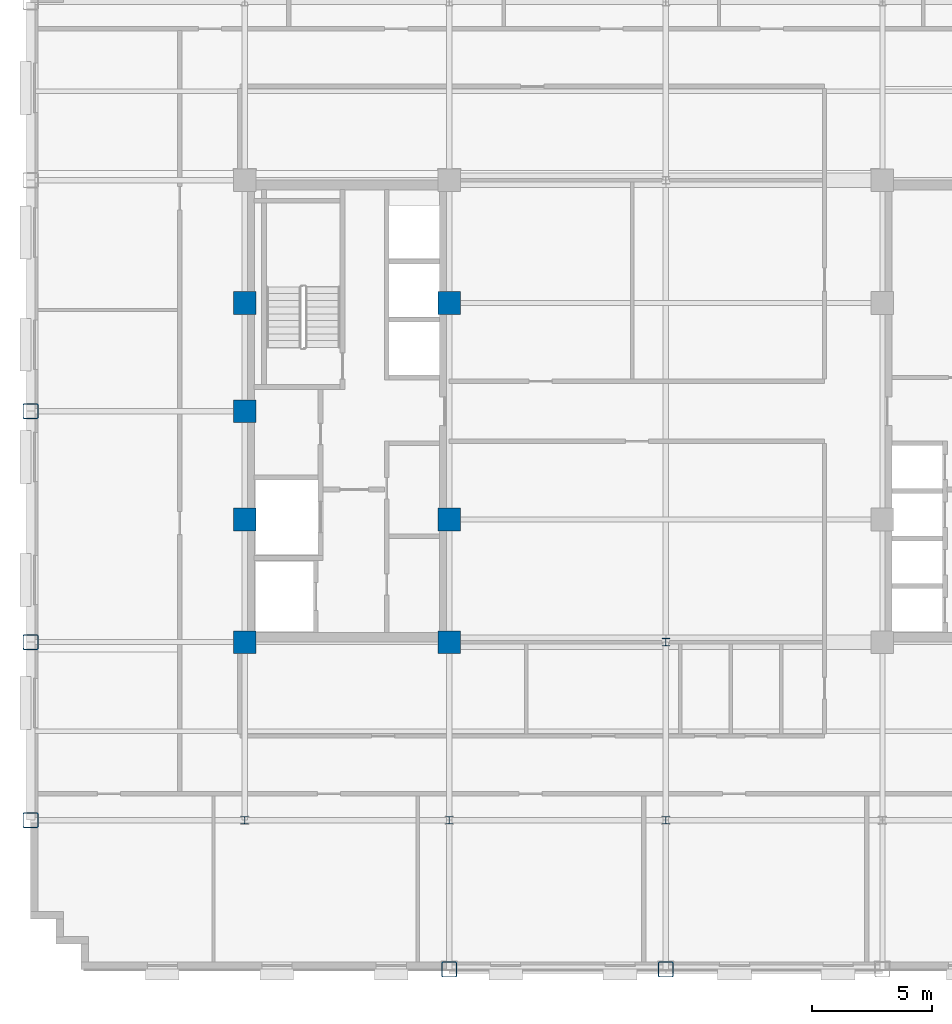
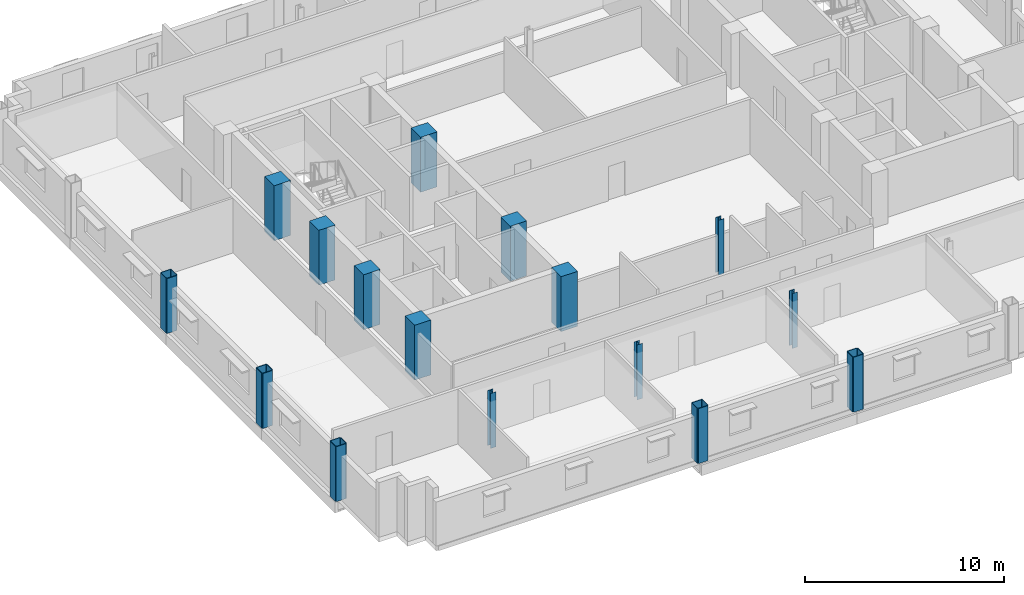
# One storey, part 1 of 14: 16 columns.
"""IFC4 building model written with IfcOpenShell, lengths in metres."""

from ifc_helpers import new_model, si_unit, direction, frame, origin, origin_2d, place, context, subcontext, project, spatial, rectangle, hollow_rectangle, i_section, extrude, material, material_profile, profile_set, type_object, element, save


model = new_model("IFC4")

# Units and contexts
model_context = context("Model", 3, precision=1e-05, world=origin(), true_north=direction((0.0, 1.0)))
body_context = subcontext(model_context, "Body", "Model", "MODEL_VIEW")
ifc_project = project(units=[si_unit("LENGTHUNIT", "METRE"), si_unit("AREAUNIT", "SQUARE_METRE"), si_unit("VOLUMEUNIT", "CUBIC_METRE"), si_unit("PLANEANGLEUNIT", "RADIAN"), si_unit("MASSUNIT", "GRAM", prefix="KILO")], contexts=[model_context])

# Site, building, storey
site_placement = place(None, origin())
site = spatial("IfcSite", under=ifc_project, at=site_placement, CompositionType="ELEMENT")
building_placement = place(site_placement, origin())
building = spatial("IfcBuilding", under=site, at=building_placement, Name="Nuvemarco Arch Tower", CompositionType="ELEMENT")
storey_placement = place(building_placement, frame((0.0, 0.0, 178.60009765625)))
storey = spatial("IfcBuildingStorey", under=building, at=storey_placement, Name="L47", CompositionType="ELEMENT", Elevation=178.60009765625)

# Columns
ifc_material_1 = material(Name="Concrete C50/60", Category="concrete")
ifc_material_profile_1 = material_profile(ifc_material_1, rectangle(XDim=0.949951171875, YDim=0.949951171875, at=origin_2d()), Name="RC-COL-950x950")
ifc_profile_set_1 = profile_set([ifc_material_profile_1], Name="Concrete C50/60")
column_type_1 = type_object("IfcColumnType", Name="COL-CORE-950", PredefinedType="COLUMN", material=ifc_profile_set_1)
for number, where, z_axis, x_axis, name in (
    (1, (-17.5, -9.60009765625, 0.0), (0.0, 0.0, 1.0), (1.0, 0.0, 0.0), "L47 column CC_-17.5_-9.6"),
    (2, (-17.5, -4.5, 0.0), (0.0, 0.0, 1.0), (1.0, 0.0, 0.0), "L47 column CC_-17.5_-4.5"),
    (3, (-17.5, 4.5, 0.0), (0.0, 0.0, 1.0), (1.0, 0.0, 0.0), "L47 column CC_-17.5_+4.5"),
    (4, (-9.0, -9.60009765625, 0.0), (0.0, 0.0, 1.0), (1.0, 0.0, 0.0), "L47 column CC_-9.0_-9.6"),
    (5, (-9.0, -4.5, 0.0), (0.0, 0.0, 1.0), (1.0, 0.0, 0.0), "L47 column CC_-9.0_-4.5"),
    (6, (-9.0, 4.5, 0.0), (0.0, 0.0, 1.0), (1.0, 0.0, 0.0), "L47 column CC_-9.0_+4.5"),
    (7, (-17.5, 0.0, 0.0), (0.0, 0.0, 1.0), (1.0, 0.0, 0.0), "L47 column CC_-17.5_+0.0"),
):
    element("IfcColumn", number, at=place(storey_placement, frame(where, z_axis=z_axis, x_axis=x_axis)), inside=storey, type_object=column_type_1, Name=name, PredefinedType="COLUMN", context=body_context, shape_type="SweptSolid", body=[
        extrude(rectangle(XDim=0.949951171875, YDim=0.949951171875, at=origin_2d()), origin(), (0.0, 0.0, 1.0), 3.369873046875),
    ])
ifc_material_2 = material(Name="Steel S355", Category="steel")
ifc_material_profile_2 = material_profile(ifc_material_2, hollow_rectangle(XDim=0.64990234375, YDim=0.64990234375, WallThickness=0.0400390625, InnerFilletRadius=0.0400390625, OuterFilletRadius=0.080078125, at=origin_2d()), Name="SHS650x650x40")
ifc_profile_set_2 = profile_set([ifc_material_profile_2], Name="Steel S355")
column_type_2 = type_object("IfcColumnType", Name="COL-EXO-650", PredefinedType="COLUMN", material=ifc_profile_set_2)
for number, where, z_axis, x_axis, name in (
    (8, (-26.39990234375, -17.0, 0.0), (0.0, 0.0, 1.0), (1.0, 0.0, 0.0), "L47 column CX_-26.4_-17.0"),
    (9, (-26.39990234375, -9.60009765625, 0.0), (0.0, 0.0, 1.0), (1.0, 0.0, 0.0), "L47 column CX_-26.4_-9.6"),
    (10, (-26.39990234375, 0.0, 0.0), (0.0, 0.0, 1.0), (1.0, 0.0, 0.0), "L47 column CX_-26.4_+0.0"),
    (11, (-9.0, -23.199951171875, 0.0), (0.0, 0.0, 1.0), (1.0, 0.0, 0.0), "L47 column CY_-9.0_-23.2"),
    (12, (0.0, -23.199951171875, 0.0), (0.0, 0.0, 1.0), (1.0, 0.0, 0.0), "L47 column CY_+0.0_-23.2"),
):
    element("IfcColumn", number, at=place(storey_placement, frame(where, z_axis=z_axis, x_axis=x_axis)), inside=storey, type_object=column_type_2, Name=name, PredefinedType="COLUMN", context=body_context, shape_type="SweptSolid", body=[
        extrude(hollow_rectangle(XDim=0.64990234375, YDim=0.64990234375, WallThickness=0.0400390625, InnerFilletRadius=0.0400390625, OuterFilletRadius=0.080078125, at=origin_2d()), origin(), (0.0, 0.0, 1.0), 3.369873046875),
    ])
ifc_material_profile_3 = material_profile(ifc_material_2, i_section(OverallWidth=0.31005859375, OverallDepth=0.31005859375, WebThickness=0.015380859375, FlangeThickness=0.015380859375, FilletRadius=0.014892578125, at=origin_2d()), Name="HP310x110")
ifc_profile_set_3 = profile_set([ifc_material_profile_3], Name="Steel S355")
column_type_3 = type_object("IfcColumnType", Name="COL-STL-HP310", PredefinedType="COLUMN", material=ifc_profile_set_3)
for number, where, z_axis, x_axis, name in (
    (13, (0.0, -17.0, 0.0), (0.0, 0.0, 1.0), (1.0, 0.0, 0.0), "L47 column CI_+0.0_-17.0"),
    (14, (0.0, -9.60009765625, 0.0), (0.0, 0.0, 1.0), (1.0, 0.0, 0.0), "L47 column CI_+0.0_-9.6"),
    (15, (-17.5, -17.0, 0.0), (0.0, 0.0, 1.0), (1.0, 0.0, 0.0), "L47 column CI_-17.5_-17.0"),
    (16, (-9.0, -17.0, 0.0), (0.0, 0.0, 1.0), (1.0, 0.0, 0.0), "L47 column CI_-9.0_-17.0"),
):
    element("IfcColumn", number, at=place(storey_placement, frame(where, z_axis=z_axis, x_axis=x_axis)), inside=storey, type_object=column_type_3, Name=name, PredefinedType="COLUMN", context=body_context, shape_type="SweptSolid", body=[
        extrude(i_section(OverallWidth=0.31005859375, OverallDepth=0.31005859375, WebThickness=0.015380859375, FlangeThickness=0.015380859375, FilletRadius=0.014892578125, at=origin_2d()), origin(), (0.0, 0.0, 1.0), 3.369873046875),
    ])

save(model, "model.ifc")
